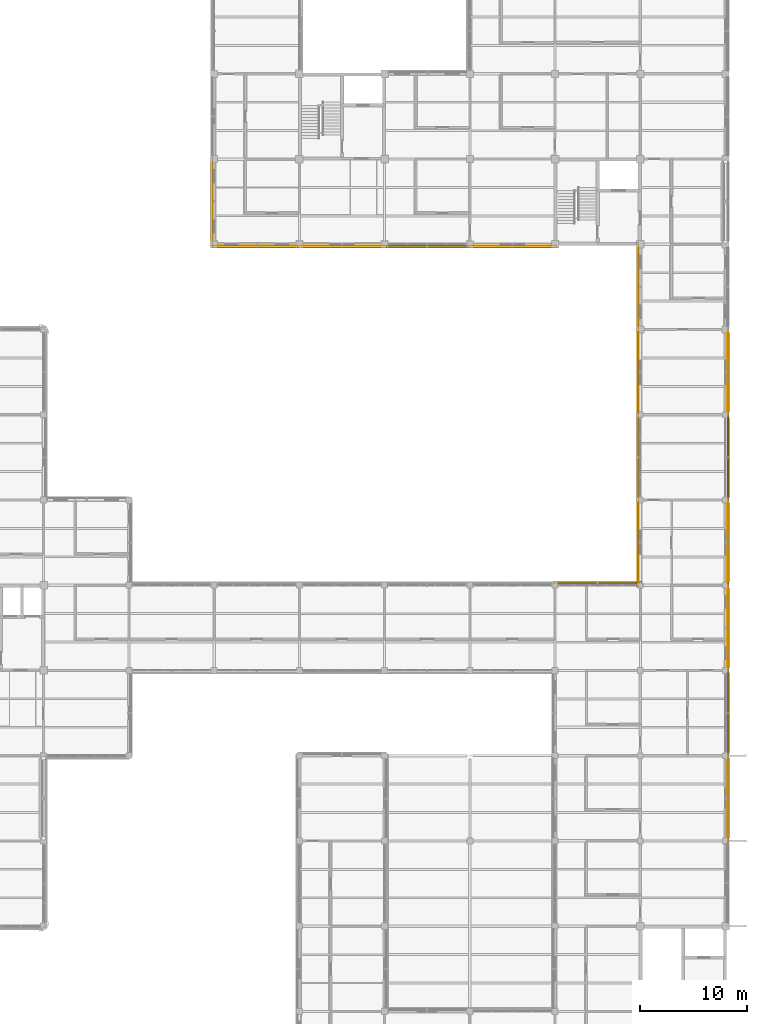
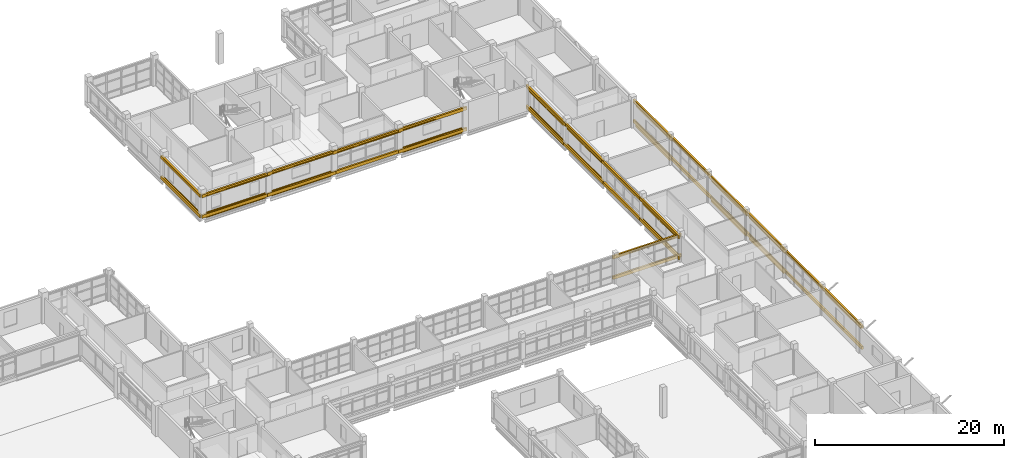
# One storey, part 104 of 107: 42 coverings, 23 shading devices.
"""IFC4 building model written with IfcOpenShell, lengths in metres."""

from ifc_helpers import new_model, si_unit, derived_unit, direction, frame, origin, origin_2d, place, context, subcontext, project, spatial, rectangle, circle, extrude, material, layer, layer_set, material_profile, profile_set, type_object, element, save


model = new_model("IFC4")

# Units and contexts
model_context = context("Model", 3, precision=1e-05, world=origin(), true_north=direction((0.0, 1.0)))
body_context = subcontext(model_context, "Body", "Model", "MODEL_VIEW")
ifc_project = project(units=[si_unit("LENGTHUNIT", "METRE"), si_unit("AREAUNIT", "SQUARE_METRE"), si_unit("VOLUMEUNIT", "CUBIC_METRE"), si_unit("PLANEANGLEUNIT", "RADIAN"), si_unit("MASSUNIT", "GRAM", prefix="KILO"), derived_unit("THERMALTRANSMITTANCEUNIT", [(si_unit("MASSUNIT", "GRAM", prefix="KILO"), 1), (si_unit("TIMEUNIT", "SECOND"), -3), (si_unit("THERMODYNAMICTEMPERATUREUNIT", "KELVIN"), -1)])], contexts=[model_context])

# Site, building, storey
site_placement = place(None, origin())
site = spatial("IfcSite", under=ifc_project, at=site_placement, CompositionType="ELEMENT")
building_placement = place(site_placement, origin())
building = spatial("IfcBuilding", under=site, at=building_placement, Name="Veyamyaing Civic Hall", CompositionType="ELEMENT")
storey_placement = place(building_placement, frame((0.0, 0.0, 13.860107421875)))
storey = spatial("IfcBuildingStorey", under=building, at=storey_placement, Name="L03", CompositionType="ELEMENT", Elevation=13.860107421875)

# Coverings
ifc_material_1 = material(Name="Buff sandstone ashlar cladding", Category="masonry")
ifc_layer_1 = layer(ifc_material_1, 0.050048828125, Name="Buff sandstone ashlar cladding")
ifc_layer_set_1 = layer_set([ifc_layer_1], Name="Buff sandstone ashlar cladding")
covering_type_1 = type_object("IfcCoveringType", Name="CL-01", PredefinedType="CLADDING", material=ifc_layer_set_1)
for number, where, z_axis, x_axis, name in (
    (1, (132.0, 87.839111328125, 0.044921875), (0.0, 0.0, 1.0), (1.0, 0.0, 0.0), "Facade spandrel cladding CL-01 L03 S 17.12"),
    (2, (127.839111328125, 92.0, 0.044921875), (0.0, 0.0, 1.0), (0.0, 1.0, 0.0), "Facade spandrel cladding CL-01 L03 W 17.12"),
):
    element("IfcCovering", number, at=place(storey_placement, frame(where, z_axis=z_axis, x_axis=x_axis)), inside=storey, type_object=covering_type_1, Name=name, PredefinedType="CLADDING", context=body_context, shape_type="SweptSolid", body=[
        extrude(rectangle(XDim=7.300048828125, YDim=0.050048828125, at=origin_2d()), origin(), (0.0, 0.0, 1.0), 0.75),
    ])
covering_1_placement = place(storey_placement, frame((176.160888671875, 52.0, 0.044921875), z_axis=(0.0, 0.0, 1.0), x_axis=(0.0, 1.0, 0.0)))
element("IfcCovering", 3, at=covering_1_placement, inside=storey, type_object=covering_type_1, Name="Facade spandrel cladding CL-01 L03 E 22.7", PredefinedType="CLADDING", context=body_context, shape_type="SweptSolid", body=[
    extrude(rectangle(XDim=7.39990234375, YDim=0.050048828125, at=origin_2d()), origin(), (0.0, 0.0, 1.0), 0.75),
])
covering_2_placement = place(storey_placement, frame((167.839111328125, 83.987548828125, 0.044921875), z_axis=(0.0, 0.0, 1.0), x_axis=(0.0, 1.0, 0.0)))
element("IfcCovering", 4, at=covering_2_placement, inside=storey, type_object=covering_type_1, Name="Facade spandrel cladding CL-01 L03 W 22.11", PredefinedType="CLADDING", context=body_context, shape_type="SweptSolid", body=[
    extrude(rectangle(XDim=7.27490234375, YDim=0.050048828125, at=origin_2d()), origin(), (0.0, 0.0, 1.0), 0.75),
])
ifc_material_2 = material(Name="Turquoise glazed ceramic tile cladding", Category="masonry")
ifc_layer_2 = layer(ifc_material_2, 0.034912109375, Name="Turquoise glazed ceramic tile cladding")
ifc_layer_set_2 = layer_set([ifc_layer_2], Name="Turquoise glazed ceramic tile cladding")
covering_type_2 = type_object("IfcCoveringType", Name="CL-02", PredefinedType="CLADDING", material=ifc_layer_set_2)
covering_3_placement = place(storey_placement, frame((140.0, 87.846435546875, 0.044921875), z_axis=(0.0, 0.0, 1.0), x_axis=(1.0, 0.0, 0.0)))
element("IfcCovering", 5, at=covering_3_placement, inside=storey, type_object=covering_type_2, Name="Facade spandrel cladding CL-02 L03 S 18.12", PredefinedType="CLADDING", context=body_context, shape_type="SweptSolid", body=[
    extrude(rectangle(XDim=7.300048828125, YDim=0.034912109375, at=origin_2d()), origin(), (0.0, 0.0, 1.0), 0.75),
])
covering_4_placement = place(storey_placement, frame((155.987548828125, 87.846435546875, 0.044921875), z_axis=(0.0, 0.0, 1.0), x_axis=(1.0, 0.0, 0.0)))
element("IfcCovering", 6, at=covering_4_placement, inside=storey, type_object=covering_type_2, Name="Facade spandrel cladding CL-02 L03 S 20.12", PredefinedType="CLADDING", context=body_context, shape_type="SweptSolid", body=[
    extrude(rectangle(XDim=7.27490234375, YDim=0.034912109375, at=origin_2d()), origin(), (0.0, 0.0, 1.0), 0.75),
])
for number, where, z_axis, x_axis, name in (
    (7, (167.846435546875, 60.0, 0.044921875), (0.0, 0.0, 1.0), (0.0, 1.0, 0.0), "Facade spandrel cladding CL-02 L03 W 22.8"),
    (8, (176.153564453125, 60.0, 0.044921875), (0.0, 0.0, 1.0), (0.0, 1.0, 0.0), "Facade spandrel cladding CL-02 L03 E 22.8"),
):
    element("IfcCovering", number, at=place(storey_placement, frame(where, z_axis=z_axis, x_axis=x_axis)), inside=storey, type_object=covering_type_2, Name=name, PredefinedType="CLADDING", context=body_context, shape_type="SweptSolid", body=[
        extrude(rectangle(XDim=7.39990234375, YDim=0.034912109375, at=origin_2d()), origin(), (0.0, 0.0, 1.0), 0.75),
    ])
for number, where, z_axis, x_axis, name in (
    (9, (167.846435546875, 75.97509765625, 0.044921875), (0.0, 0.0, 1.0), (0.0, 1.0, 0.0), "Facade spandrel cladding CL-02 L03 W 22.10"),
    (10, (176.153564453125, 75.97509765625, 0.044921875), (0.0, 0.0, 1.0), (0.0, 1.0, 0.0), "Facade spandrel cladding CL-02 L03 E 22.10"),
):
    element("IfcCovering", number, at=place(storey_placement, frame(where, z_axis=z_axis, x_axis=x_axis)), inside=storey, type_object=covering_type_2, Name=name, PredefinedType="CLADDING", context=body_context, shape_type="SweptSolid", body=[
        extrude(rectangle(XDim=7.35009765625, YDim=0.034912109375, at=origin_2d()), origin(), (0.0, 0.0, 1.0), 0.75),
    ])
ifc_material_3 = material(Name="White powder-coated aluminium 6063-T6", Category="aluminium")
ifc_layer_3 = layer(ifc_material_3, 0.2099609375, Name="White powder-coated aluminium 6063-T6")
ifc_layer_set_3 = layer_set([ifc_layer_3], Name="White powder-coated aluminium 6063-T6")
covering_type_3 = type_object("IfcCoveringType", Name="CL-03", PredefinedType="CLADDING", material=ifc_layer_set_3)
for number, where, z_axis, x_axis, name in (
    (11, (132.0, 87.760009765625, 2.923828125), (0.0, 0.0, 1.0), (1.0, 0.0, 0.0), "Continuous white head fascia ribbon CL-03 L03 S 17.12"),
    (12, (132.0, 87.760009765625, 0.280029296875), (0.0, 0.0, 1.0), (1.0, 0.0, 0.0), "Continuous white sill fascia ribbon CL-03 L03 S 17.12"),
    (13, (127.760009765625, 92.0, 2.923828125), (0.0, 0.0, 1.0), (0.0, 1.0, 0.0), "Continuous white head fascia ribbon CL-03 L03 W 17.12"),
    (14, (127.760009765625, 92.0, 0.280029296875), (0.0, 0.0, 1.0), (0.0, 1.0, 0.0), "Continuous white sill fascia ribbon CL-03 L03 W 17.12"),
    (15, (140.0, 87.760009765625, 2.987060546875), (0.0, 0.0, 1.0), (1.0, 0.0, 0.0), "Continuous white head fascia ribbon CL-03 L03 S 18.12"),
    (16, (140.0, 87.760009765625, 0.280029296875), (0.0, 0.0, 1.0), (1.0, 0.0, 0.0), "Continuous white sill fascia ribbon CL-03 L03 S 18.12"),
    (17, (148.0, 87.760009765625, 2.919921875), (0.0, 0.0, 1.0), (1.0, 0.0, 0.0), "Continuous white head fascia ribbon CL-03 L03 S 19.12"),
    (18, (148.0, 87.760009765625, 0.280029296875), (0.0, 0.0, 1.0), (1.0, 0.0, 0.0), "Continuous white sill fascia ribbon CL-03 L03 S 19.12"),
    (19, (156.0, 87.760009765625, 2.98388671875), (0.0, 0.0, 1.0), (1.0, 0.0, 0.0), "Continuous white head fascia ribbon CL-03 L03 S 20.12"),
    (20, (156.0, 87.760009765625, 0.280029296875), (0.0, 0.0, 1.0), (1.0, 0.0, 0.0), "Continuous white sill fascia ribbon CL-03 L03 S 20.12"),
    (21, (164.0, 56.239990234375, 2.923828125), (0.0, 0.0, 1.0), (1.0, 0.0, 0.0), "Continuous white head fascia ribbon CL-03 L03 N 21.7"),
    (22, (164.0, 56.239990234375, 0.280029296875), (0.0, 0.0, 1.0), (1.0, 0.0, 0.0), "Continuous white sill fascia ribbon CL-03 L03 N 21.7"),
    (23, (176.239990234375, 36.0, 2.989013671875), (0.0, 0.0, 1.0), (0.0, 1.0, 0.0), "Continuous white head fascia ribbon CL-03 L03 E 22.5"),
    (24, (176.239990234375, 36.0, 0.280029296875), (0.0, 0.0, 1.0), (0.0, 1.0, 0.0), "Continuous white sill fascia ribbon CL-03 L03 E 22.5"),
    (25, (176.239990234375, 44.0, 2.923828125), (0.0, 0.0, 1.0), (0.0, 1.0, 0.0), "Continuous white head fascia ribbon CL-03 L03 E 22.6"),
    (26, (176.239990234375, 44.0, 0.280029296875), (0.0, 0.0, 1.0), (0.0, 1.0, 0.0), "Continuous white sill fascia ribbon CL-03 L03 E 22.6"),
    (27, (176.239990234375, 52.0, 2.987060546875), (0.0, 0.0, 1.0), (0.0, 1.0, 0.0), "Continuous white head fascia ribbon CL-03 L03 E 22.7"),
    (28, (176.239990234375, 52.0, 0.280029296875), (0.0, 0.0, 1.0), (0.0, 1.0, 0.0), "Continuous white sill fascia ribbon CL-03 L03 E 22.7"),
    (29, (167.760009765625, 60.0, 2.987060546875), (0.0, 0.0, 1.0), (0.0, 1.0, 0.0), "Continuous white head fascia ribbon CL-03 L03 W 22.8"),
    (30, (167.760009765625, 60.0, 0.280029296875), (0.0, 0.0, 1.0), (0.0, 1.0, 0.0), "Continuous white sill fascia ribbon CL-03 L03 W 22.8"),
    (31, (176.239990234375, 60.0, 2.919921875), (0.0, 0.0, 1.0), (0.0, 1.0, 0.0), "Continuous white head fascia ribbon CL-03 L03 E 22.8"),
    (32, (176.239990234375, 60.0, 0.280029296875), (0.0, 0.0, 1.0), (0.0, 1.0, 0.0), "Continuous white sill fascia ribbon CL-03 L03 E 22.8"),
    (33, (167.760009765625, 68.0, 2.919921875), (0.0, 0.0, 1.0), (0.0, 1.0, 0.0), "Continuous white head fascia ribbon CL-03 L03 W 22.9"),
    (34, (167.760009765625, 68.0, 0.280029296875), (0.0, 0.0, 1.0), (0.0, 1.0, 0.0), "Continuous white sill fascia ribbon CL-03 L03 W 22.9"),
    (35, (176.239990234375, 68.0, 2.98388671875), (0.0, 0.0, 1.0), (0.0, 1.0, 0.0), "Continuous white head fascia ribbon CL-03 L03 E 22.9"),
    (36, (176.239990234375, 68.0, 0.280029296875), (0.0, 0.0, 1.0), (0.0, 1.0, 0.0), "Continuous white sill fascia ribbon CL-03 L03 E 22.9"),
    (37, (167.760009765625, 76.0, 2.98388671875), (0.0, 0.0, 1.0), (0.0, 1.0, 0.0), "Continuous white head fascia ribbon CL-03 L03 W 22.10"),
    (38, (167.760009765625, 76.0, 0.280029296875), (0.0, 0.0, 1.0), (0.0, 1.0, 0.0), "Continuous white sill fascia ribbon CL-03 L03 W 22.10"),
    (39, (176.239990234375, 76.0, 2.923828125), (0.0, 0.0, 1.0), (0.0, 1.0, 0.0), "Continuous white head fascia ribbon CL-03 L03 E 22.10"),
    (40, (176.239990234375, 76.0, 0.280029296875), (0.0, 0.0, 1.0), (0.0, 1.0, 0.0), "Continuous white sill fascia ribbon CL-03 L03 E 22.10"),
    (41, (167.760009765625, 84.0, 2.923828125), (0.0, 0.0, 1.0), (0.0, 1.0, 0.0), "Continuous white head fascia ribbon CL-03 L03 W 22.11"),
    (42, (167.760009765625, 84.0, 0.280029296875), (0.0, 0.0, 1.0), (0.0, 1.0, 0.0), "Continuous white sill fascia ribbon CL-03 L03 W 22.11"),
):
    element("IfcCovering", number, at=place(storey_placement, frame(where, z_axis=z_axis, x_axis=x_axis)), inside=storey, type_object=covering_type_3, Name=name, PredefinedType="CLADDING", context=body_context, shape_type="SweptSolid", body=[
        extrude(rectangle(XDim=8.360107421875, YDim=0.2099609375, at=origin_2d()), origin(), (0.0, 0.0, 1.0), 0.39990234375),
    ])

# Shading devices
ifc_material_4 = material(Name="Anodised aluminium 6063-T6", Category="aluminium")
ifc_material_profile_1 = material_profile(ifc_material_4, rectangle(XDim=0.050048828125, YDim=0.25, at=origin_2d()), Name="LOUVRE-BLADE-50X250")
ifc_profile_set_1 = profile_set([ifc_material_profile_1], Name="Anodised aluminium 6063-T6")
shading_device_type_1 = type_object("IfcShadingDeviceType", Name="LV-01", PredefinedType="JALOUSIE", material=ifc_profile_set_1)
for number, where, z_axis, x_axis, name in (
    (43, (176.219970703125, 48.260009765625, 2.81689453125), (0.0, 1.0, 0.0), (-1.0, 0.0, 0.0), "Monsoon solar louvre LV-01 L03 E 22.7"),
    (44, (167.780029296875, 56.260009765625, 2.81689453125), (0.0, 1.0, 0.0), (-1.0, 0.0, 0.0), "Monsoon solar louvre LV-01 L03 W 22.8"),
    (45, (176.219970703125, 56.260009765625, 2.75), (0.0, 1.0, 0.0), (-1.0, 0.0, 0.0), "Monsoon solar louvre LV-01 L03 E 22.8"),
):
    element("IfcShadingDevice", number, at=place(storey_placement, frame(where, z_axis=z_axis, x_axis=x_axis)), inside=storey, type_object=shading_device_type_1, Name=name, PredefinedType="JALOUSIE", context=body_context, shape_type="SweptSolid", body=[
        extrude(rectangle(XDim=0.050048828125, YDim=0.25, at=origin_2d()), origin(), (0.0, 0.0, 1.0), 7.47998046875),
    ])
for number, where, z_axis, x_axis, name in (
    (46, (167.780029296875, 72.260009765625, 2.81396484375), (0.0, 1.0, 0.0), (-1.0, 0.0, 0.0), "Monsoon solar louvre LV-01 L03 W 22.10"),
    (47, (176.219970703125, 72.260009765625, 2.75390625), (0.0, 1.0, 0.0), (-1.0, 0.0, 0.0), "Monsoon solar louvre LV-01 L03 E 22.10"),
):
    element("IfcShadingDevice", number, at=place(storey_placement, frame(where, z_axis=z_axis, x_axis=x_axis)), inside=storey, type_object=shading_device_type_1, Name=name, PredefinedType="JALOUSIE", context=body_context, shape_type="SweptSolid", body=[
        extrude(rectangle(XDim=0.050048828125, YDim=0.25, at=origin_2d()), origin(), (0.0, 0.0, 1.0), 7.429931640625),
    ])
shading_device_1_placement = place(storey_placement, frame((167.780029296875, 80.31005859375, 2.75390625), z_axis=(0.0, 1.0, 0.0), x_axis=(-1.0, 0.0, 0.0)))
element("IfcShadingDevice", 48, at=shading_device_1_placement, inside=storey, type_object=shading_device_type_1, Name="Monsoon solar louvre LV-01 L03 W 22.11", PredefinedType="JALOUSIE", context=body_context, shape_type="SweptSolid", body=[
    extrude(rectangle(XDim=0.050048828125, YDim=0.25, at=origin_2d()), origin(), (0.0, 0.0, 1.0), 7.35498046875),
])
ifc_material_profile_2 = material_profile(ifc_material_4, rectangle(XDim=0.044921875, YDim=0.199951171875, at=origin_2d()), Name="LOUVRE-BLADE-45X200")
ifc_profile_set_2 = profile_set([ifc_material_profile_2], Name="Anodised aluminium 6063-T6")
shading_device_type_2 = type_object("IfcShadingDeviceType", Name="LV-02", PredefinedType="JALOUSIE", material=ifc_profile_set_2)
shading_device_2_placement = place(storey_placement, frame((176.219970703125, 32.260009765625, 2.81884765625), z_axis=(0.0, 1.0, 0.0), x_axis=(-1.0, 0.0, 0.0)))
element("IfcShadingDevice", 49, at=shading_device_2_placement, inside=storey, type_object=shading_device_type_2, Name="Monsoon solar louvre LV-02 L03 E 22.5", PredefinedType="JALOUSIE", context=body_context, shape_type="SweptSolid", body=[
    extrude(rectangle(XDim=0.044921875, YDim=0.199951171875, at=origin_2d()), origin(), (0.0, 0.0, 1.0), 7.47998046875),
])
ifc_material_profile_3 = material_profile(ifc_material_3, circle(Radius=0.090087890625, at=origin_2d()), Name="SHADE-TUBE-180")
ifc_profile_set_3 = profile_set([ifc_material_profile_3], Name="White powder-coated aluminium 6063-T6")
shading_device_type_3 = type_object("IfcShadingDeviceType", Name="SH-02", PredefinedType="USERDEFINED", material=ifc_profile_set_3)
for number, where, z_axis, x_axis, name in (
    (50, (128.31005859375, 87.760009765625, 3.083984375), (1.0, 0.0, 0.0), (0.0, 1.0, 0.0), "Horizontal white sunshade ribbon SH-02 L03 S 17.12"),
    (51, (127.760009765625, 88.31005859375, 3.083984375), (0.0, 1.0, 0.0), (-1.0, 0.0, 0.0), "Horizontal white sunshade ribbon SH-02 L03 W 17.12"),
    (52, (136.31005859375, 87.760009765625, 3.14697265625), (1.0, 0.0, 0.0), (0.0, 1.0, 0.0), "Horizontal white sunshade ribbon SH-02 L03 S 18.12"),
    (53, (144.31005859375, 87.760009765625, 3.079833984375), (1.0, 0.0, 0.0), (0.0, 1.0, 0.0), "Horizontal white sunshade ribbon SH-02 L03 S 19.12"),
):
    element("IfcShadingDevice", number, at=place(storey_placement, frame(where, z_axis=z_axis, x_axis=x_axis)), inside=storey, type_object=shading_device_type_3, Name=name, ObjectType="SUNSHADE", PredefinedType="USERDEFINED", context=body_context, shape_type="SweptSolid", body=[
        extrude(circle(Radius=0.090087890625, at=origin_2d()), origin(), (0.0, 0.0, 1.0), 7.3798828125),
    ])
shading_device_3_placement = place(storey_placement, frame((152.31005859375, 87.760009765625, 3.143798828125), z_axis=(1.0, 0.0, 0.0), x_axis=(0.0, 1.0, 0.0)))
element("IfcShadingDevice", 54, at=shading_device_3_placement, inside=storey, type_object=shading_device_type_3, Name="Horizontal white sunshade ribbon SH-02 L03 S 20.12", ObjectType="SUNSHADE", PredefinedType="USERDEFINED", context=body_context, shape_type="SweptSolid", body=[
    extrude(circle(Radius=0.090087890625, at=origin_2d()), origin(), (0.0, 0.0, 1.0), 7.35498046875),
])
for number, where, z_axis, x_axis, name in (
    (55, (160.260009765625, 56.239990234375, 3.083984375), (1.0, 0.0, 0.0), (0.0, 1.0, 0.0), "Horizontal white sunshade ribbon SH-02 L03 N 21.7"),
    (56, (176.239990234375, 32.260009765625, 3.14892578125), (0.0, 1.0, 0.0), (-1.0, 0.0, 0.0), "Horizontal white sunshade ribbon SH-02 L03 E 22.5"),
    (57, (176.239990234375, 40.260009765625, 3.083984375), (0.0, 1.0, 0.0), (-1.0, 0.0, 0.0), "Horizontal white sunshade ribbon SH-02 L03 E 22.6"),
    (58, (176.239990234375, 48.260009765625, 3.14697265625), (0.0, 1.0, 0.0), (-1.0, 0.0, 0.0), "Horizontal white sunshade ribbon SH-02 L03 E 22.7"),
    (59, (167.760009765625, 56.260009765625, 3.14697265625), (0.0, 1.0, 0.0), (-1.0, 0.0, 0.0), "Horizontal white sunshade ribbon SH-02 L03 W 22.8"),
    (60, (176.239990234375, 56.260009765625, 3.079833984375), (0.0, 1.0, 0.0), (-1.0, 0.0, 0.0), "Horizontal white sunshade ribbon SH-02 L03 E 22.8"),
    (61, (167.760009765625, 64.260009765625, 3.079833984375), (0.0, 1.0, 0.0), (-1.0, 0.0, 0.0), "Horizontal white sunshade ribbon SH-02 L03 W 22.9"),
    (62, (176.239990234375, 64.260009765625, 3.143798828125), (0.0, 1.0, 0.0), (-1.0, 0.0, 0.0), "Horizontal white sunshade ribbon SH-02 L03 E 22.9"),
):
    element("IfcShadingDevice", number, at=place(storey_placement, frame(where, z_axis=z_axis, x_axis=x_axis)), inside=storey, type_object=shading_device_type_3, Name=name, ObjectType="SUNSHADE", PredefinedType="USERDEFINED", context=body_context, shape_type="SweptSolid", body=[
        extrude(circle(Radius=0.090087890625, at=origin_2d()), origin(), (0.0, 0.0, 1.0), 7.47998046875),
    ])
for number, where, z_axis, x_axis, name in (
    (63, (167.760009765625, 72.260009765625, 3.143798828125), (0.0, 1.0, 0.0), (-1.0, 0.0, 0.0), "Horizontal white sunshade ribbon SH-02 L03 W 22.10"),
    (64, (176.239990234375, 72.260009765625, 3.083984375), (0.0, 1.0, 0.0), (-1.0, 0.0, 0.0), "Horizontal white sunshade ribbon SH-02 L03 E 22.10"),
):
    element("IfcShadingDevice", number, at=place(storey_placement, frame(where, z_axis=z_axis, x_axis=x_axis)), inside=storey, type_object=shading_device_type_3, Name=name, ObjectType="SUNSHADE", PredefinedType="USERDEFINED", context=body_context, shape_type="SweptSolid", body=[
        extrude(circle(Radius=0.090087890625, at=origin_2d()), origin(), (0.0, 0.0, 1.0), 7.429931640625),
    ])
shading_device_4_placement = place(storey_placement, frame((167.760009765625, 80.31005859375, 3.083984375), z_axis=(0.0, 1.0, 0.0), x_axis=(-1.0, 0.0, 0.0)))
element("IfcShadingDevice", 65, at=shading_device_4_placement, inside=storey, type_object=shading_device_type_3, Name="Horizontal white sunshade ribbon SH-02 L03 W 22.11", ObjectType="SUNSHADE", PredefinedType="USERDEFINED", context=body_context, shape_type="SweptSolid", body=[
    extrude(circle(Radius=0.090087890625, at=origin_2d()), origin(), (0.0, 0.0, 1.0), 7.35498046875),
])

save(model, "model.ifc")
